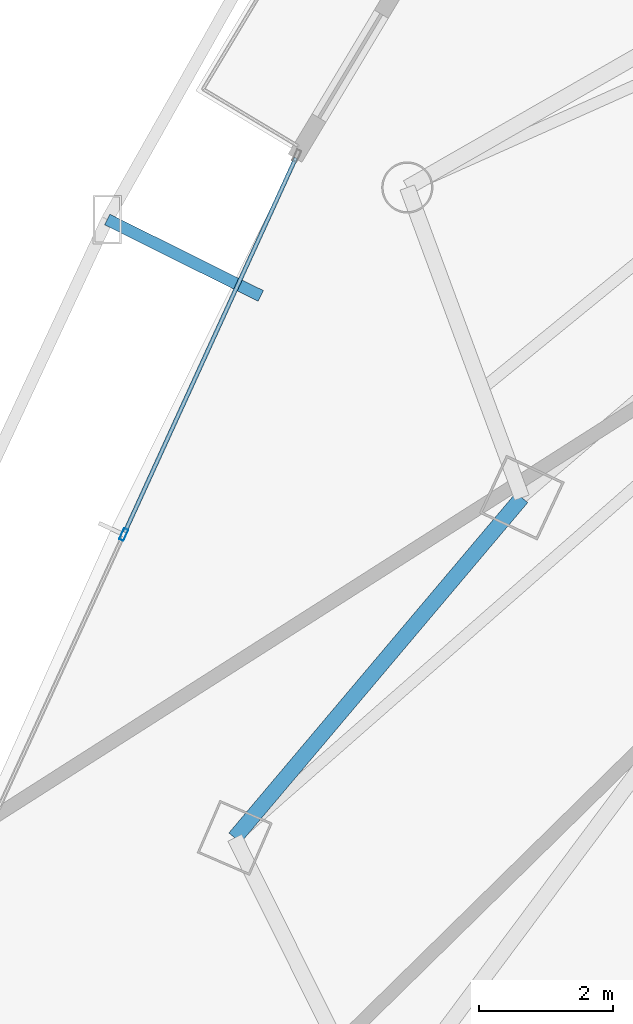
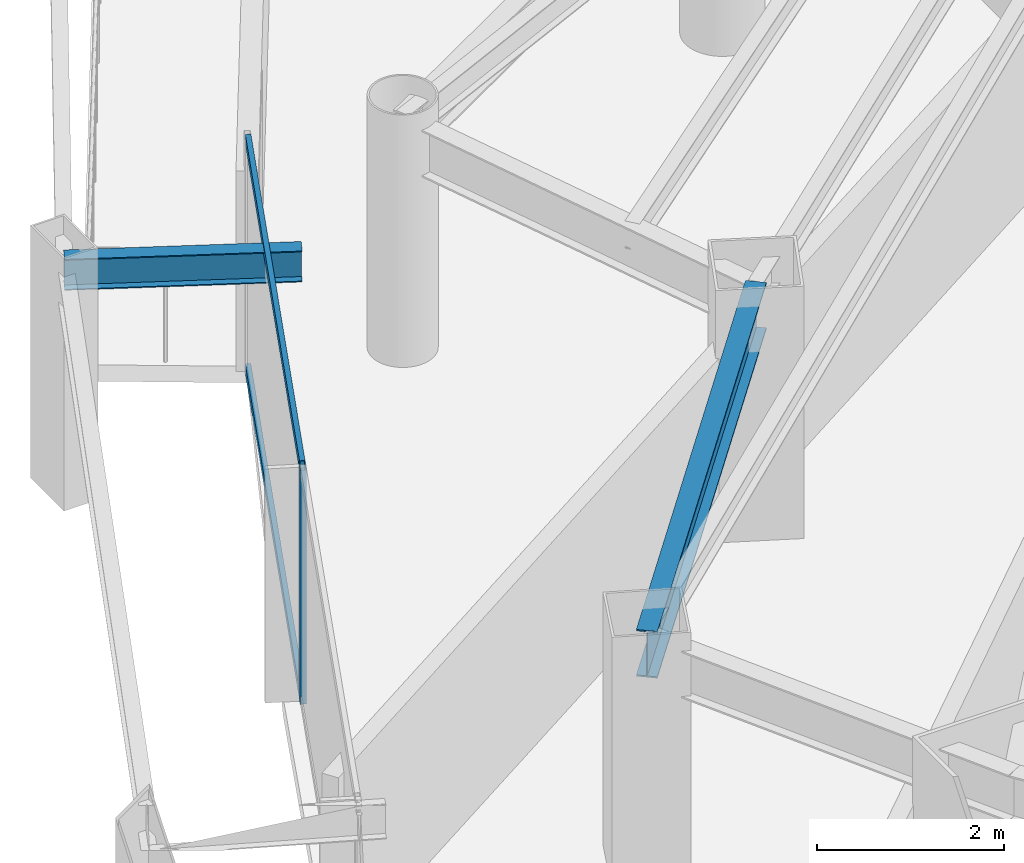
# One storey, part 8 of 34: 3 members, 2 beams, 1 element without a shape of its own.
"""IFC4 building model written with IfcOpenShell, lengths in metres."""

from ifc_helpers import new_model, si_unit, direction, frame, origin, origin_2d, place, context, subcontext, project, spatial, hollow_rectangle, i_section, extrude, material, layer, layer_set, material_profile, profile_set, type_object, element, aggregate, save


model = new_model("IFC4")

# Units and contexts
model_context = context("Model", 3, precision=1e-05, world=origin(), true_north=direction((0.0, 1.0)))
body_context = subcontext(model_context, "Body", "Model", "MODEL_VIEW")
ifc_project = project(units=[si_unit("LENGTHUNIT", "METRE"), si_unit("AREAUNIT", "SQUARE_METRE"), si_unit("VOLUMEUNIT", "CUBIC_METRE"), si_unit("PLANEANGLEUNIT", "RADIAN"), si_unit("MASSUNIT", "GRAM", prefix="KILO")], contexts=[model_context])

# Site, building, storey
site_placement = place(None, origin())
site = spatial("IfcSite", under=ifc_project, at=site_placement, CompositionType="ELEMENT")
building_placement = place(site_placement, origin())
building = spatial("IfcBuilding", under=site, at=building_placement, Name="Orvanel Arch Residences", CompositionType="ELEMENT")
storey_placement = place(building_placement, frame((0.0, 0.0, 64.25)))
storey = spatial("IfcBuildingStorey", under=building, at=storey_placement, Name="L17", CompositionType="ELEMENT", Elevation=64.25)

# Curtain wall, member
ifc_material_1 = material(Name="Bronze-anodised aluminium AA6063-T6", Category="aluminium")
ifc_layer = layer(ifc_material_1, 0.179931640625)
ifc_layer_set = layer_set([ifc_layer], Name="Bronze-anodised aluminium AA6063-T6")
curtain_wall_type = type_object("IfcCurtainWallType", Name="CW2-LOW-SYS", PredefinedType="NOTDEFINED", material=ifc_layer_set)
curtain_wall_placement = place(storey_placement, origin())
curtain_wall = element("IfcCurtainWall", 1, at=curtain_wall_placement, inside=storey, type_object=curtain_wall_type, Name="L17 CW2-LOW-SYS Unitised Curtain Wall", PredefinedType="NOTDEFINED")
ifc_material_profile_1 = material_profile(ifc_material_1, hollow_rectangle(XDim=0.070068359375, YDim=0.179931640625, WallThickness=0.00439453125, at=origin_2d()), Name="ALU180x70x4.5")
ifc_profile_set_1 = profile_set([ifc_material_profile_1], Name="Bronze-anodised aluminium AA6063-T6")
member_type_1 = type_object("IfcMemberType", Name="MUL-180x70", PredefinedType="MULLION", material=ifc_profile_set_1)
member_1_placement = place(storey_placement, frame((10.443603515625, 19.09375, 0.0), z_axis=(0.0, 0.0, 1.0), x_axis=(0.909506848006, -0.415688938305, 0.0)))
member_1 = element("IfcMember", 2, at=member_1_placement, type_object=member_type_1, Name="CW-S2 mullion 2", PredefinedType="MULLION", context=body_context, shape_type="SweptSolid", body=[
    extrude(hollow_rectangle(XDim=0.070068359375, YDim=0.179931640625, WallThickness=0.00439453125, at=origin_2d()), origin(), (0.0, 0.0, 1.0), 3.06005859375),
])

# Beams
ifc_material_2 = material(Name="Structural steel AS/NZS 3679.1 Grade 300 (300 MPa)", Category="steel")
ifc_material_profile_2 = material_profile(ifc_material_2, i_section(OverallWidth=0.177978515625, OverallDepth=0.406005859375, WebThickness=0.0078125, FlangeThickness=0.0126953125, at=origin_2d()), Name="410UB59.7")
ifc_profile_set_2 = profile_set([ifc_material_profile_2], Name="Structural steel AS/NZS 3679.1 Grade 300 (300 MPa)")
beam_type_1 = type_object("IfcBeamType", Name="OB-410UB-EXT", PredefinedType="SPANDREL", material=ifc_profile_set_2)
beam_1_placement = place(storey_placement, frame((12.48193359375, 22.64306640625, 2.85693359375), z_axis=(-0.895287212357, 0.445489402107, 0.0), x_axis=(-0.445489402107, -0.895287212357, 0.0)))
element("IfcBeam", 3, at=beam_1_placement, inside=storey, type_object=beam_type_1, Name="L17 Outer Frame Radial Tie Beam 03", PredefinedType="SPANDREL", context=body_context, shape_type="SweptSolid", body=[
    extrude(i_section(OverallWidth=0.177978515625, OverallDepth=0.406005859375, WebThickness=0.0078125, FlangeThickness=0.0126953125, at=origin_2d()), origin(), (0.0, 0.0, 1.0), 2.550048828125),
])
ifc_material_profile_3 = material_profile(ifc_material_2, i_section(OverallWidth=0.22900390625, OverallDepth=0.612060546875, WebThickness=0.011962890625, FlangeThickness=0.01953125, at=origin_2d()), Name="610UB125")
ifc_profile_set_3 = profile_set([ifc_material_profile_3], Name="Structural steel AS/NZS 3679.1 Grade 300 (300 MPa)")
beam_type_2 = type_object("IfcBeamType", Name="SP-610UB", PredefinedType="SPANDREL", material=ifc_profile_set_3)
beam_2_placement = place(storey_placement, frame((16.366943359375, 19.64208984375, 2.75390625), z_axis=(-0.644950329775, -0.764224490659, 0.0), x_axis=(0.764224490659, -0.644950329775, 0.0)))
element("IfcBeam", 4, at=beam_2_placement, inside=storey, type_object=beam_type_2, Name="L17 Perimeter Spandrel Beam 01", PredefinedType="SPANDREL", context=body_context, shape_type="SweptSolid", body=[
    extrude(i_section(OverallWidth=0.22900390625, OverallDepth=0.612060546875, WebThickness=0.011962890625, FlangeThickness=0.01953125, at=origin_2d()), origin(), (0.0, 0.0, 1.0), 6.623779296875),
])

# Member
ifc_material_profile_4 = material_profile(ifc_material_1, hollow_rectangle(XDim=0.06005859375, YDim=0.135009765625, WallThickness=0.00390625, at=origin_2d()), Name="ALU135x60x4")
ifc_profile_set_4 = profile_set([ifc_material_profile_4], Name="Bronze-anodised aluminium AA6063-T6")
member_type_2 = type_object("IfcMemberType", Name="TRN-135x60", PredefinedType="USERDEFINED", material=ifc_profile_set_4)
member_2_placement = place(storey_placement, frame((13.00390625, 24.6953125, 0.030029296875), z_axis=(-0.415685329324, -0.909508497478, 0.0), x_axis=(0.909508497478, -0.415685329324, 0.0)))
member_2 = element("IfcMember", 5, at=member_2_placement, type_object=member_type_2, Name="CW-S2 transom 1.1", ObjectType="TRANSOM", PredefinedType="USERDEFINED", context=body_context, shape_type="SweptSolid", body=[
    extrude(hollow_rectangle(XDim=0.06005859375, YDim=0.135009765625, WallThickness=0.00390625, at=origin_2d()), origin(), (0.0, 0.0, 1.0), 6.1240234375),
])

member_3_placement = place(storey_placement, frame((13.00390625, 24.6953125, 3.030029296875), z_axis=(-0.415685329324, -0.909508497478, 0.0), x_axis=(0.909508497478, -0.415685329324, 0.0)))
member_3 = element("IfcMember", 6, at=member_3_placement, type_object=member_type_2, Name="CW-S2 transom 1.2", ObjectType="TRANSOM", PredefinedType="USERDEFINED", context=body_context, shape_type="SweptSolid", body=[
    extrude(hollow_rectangle(XDim=0.06005859375, YDim=0.135009765625, WallThickness=0.00390625, at=origin_2d()), origin(), (0.0, 0.0, 1.0), 6.1240234375),
])

aggregate(curtain_wall, [member_1, member_2, member_3])

save(model, "model.ifc")
